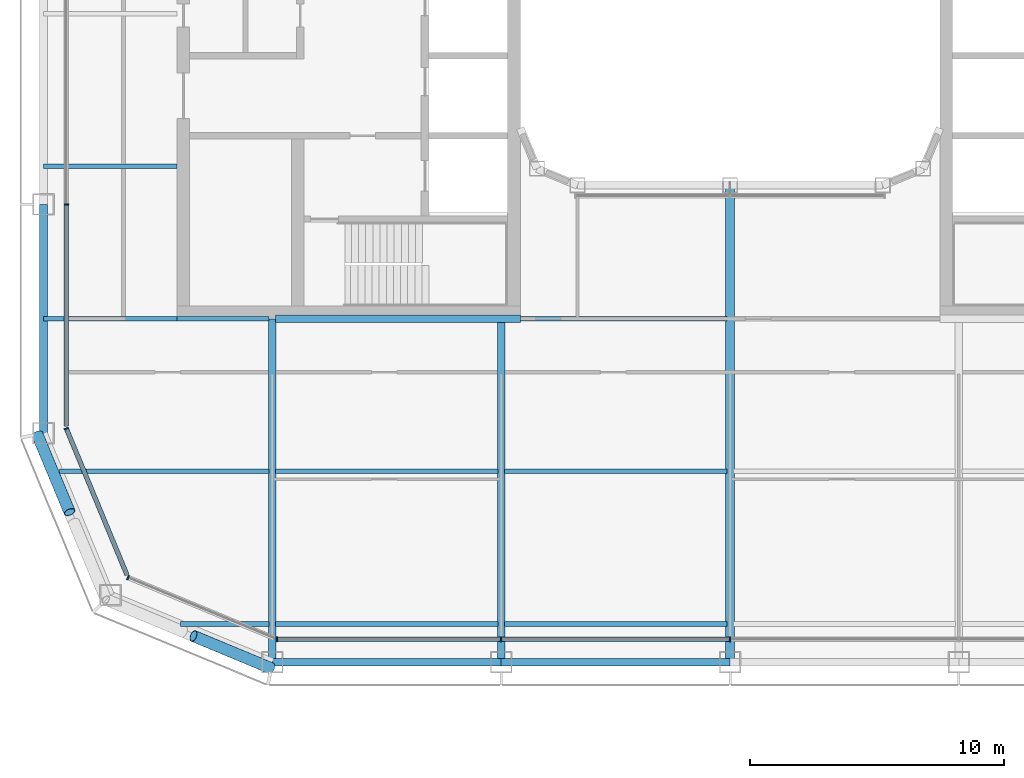
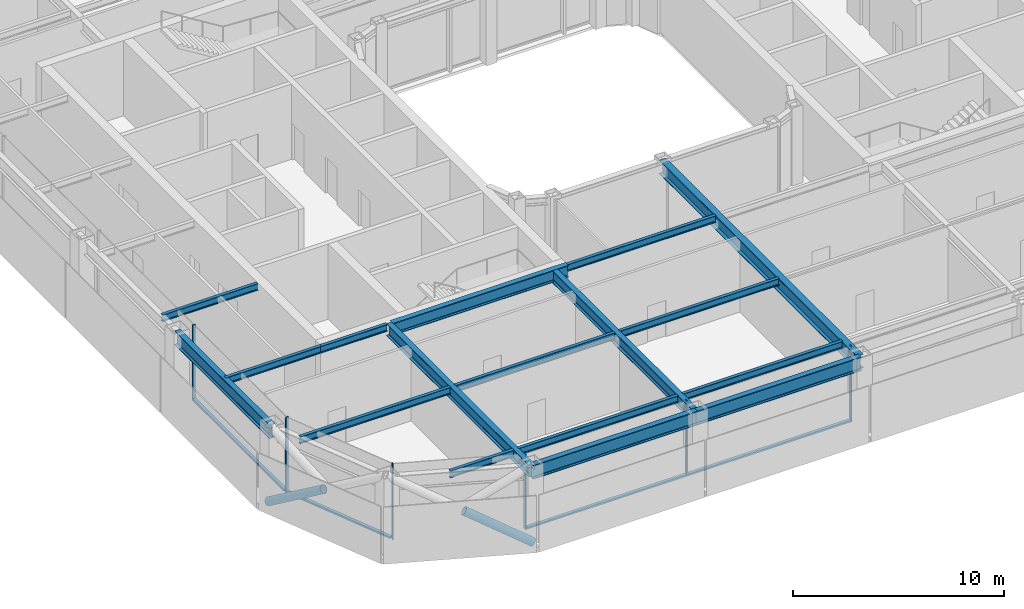
# One storey, part 2 of 22: 17 beams, 12 members, 4 elements without a shape of their own.
"""IFC4 building model written with IfcOpenShell, lengths in metres."""

from ifc_helpers import new_model, si_unit, direction, frame, origin, origin_2d, place, context, subcontext, project, spatial, rectangle, hollow_circle, i_section, extrude, material, layer, layer_set, material_profile, profile_set, type_object, element, aggregate, save


model = new_model("IFC4")

# Units and contexts
model_context = context("Model", 3, precision=1e-05, world=origin(), true_north=direction((0.0, 1.0)))
body_context = subcontext(model_context, "Body", "Model", "MODEL_VIEW")
ifc_project = project(units=[si_unit("LENGTHUNIT", "METRE"), si_unit("AREAUNIT", "SQUARE_METRE"), si_unit("VOLUMEUNIT", "CUBIC_METRE"), si_unit("PLANEANGLEUNIT", "RADIAN"), si_unit("MASSUNIT", "GRAM", prefix="KILO")], contexts=[model_context])

# Site, building, storey
site_placement = place(None, origin())
site = spatial("IfcSite", under=ifc_project, at=site_placement, CompositionType="ELEMENT")
building_placement = place(site_placement, origin())
building = spatial("IfcBuilding", under=site, at=building_placement, Name="Siwar Civic Tower", CompositionType="ELEMENT")
storey_placement = place(building_placement, frame((0.0, 0.0, 201.699951171875)))
storey = spatial("IfcBuildingStorey", under=building, at=storey_placement, Name="L43", CompositionType="ELEMENT", Elevation=201.699951171875)

# Curtain wall, members
ifc_material_1 = material(Name="Aluminium and glass", Category="aluminium")
ifc_layer_1 = layer(ifc_material_1, 0.179931640625)
ifc_layer_set_1 = layer_set([ifc_layer_1], Name="Aluminium and glass")
curtain_wall_type_1 = type_object("IfcCurtainWallType", Name="ENV-CW-C", PredefinedType="NOTDEFINED", material=ifc_layer_set_1)
curtain_wall_1_placement = place(storey_placement, origin())
curtain_wall_1 = element("IfcCurtainWall", 1, at=curtain_wall_1_placement, inside=storey, type_object=curtain_wall_type_1, Name="Curtain wall C S", PredefinedType="NOTDEFINED")
ifc_material_2 = material(Name="Aluminium 6063-T6", Category="aluminium")
ifc_material_profile_1 = material_profile(ifc_material_2, rectangle(XDim=0.179931640625, YDim=0.06005859375, at=origin_2d()), Name="AL 180x60")
ifc_profile_set_1 = profile_set([ifc_material_profile_1], Name="Aluminium 6063-T6")
member_type_1 = type_object("IfcMemberType", Name="ENV-MULLION-C", PredefinedType="MULLION", material=ifc_profile_set_1)
member_1_placement = place(storey_placement, frame((-17.821044921875, -26.10009765625, 0.0), z_axis=(0.0, 0.0, 1.0), x_axis=(0.0, 1.0, 0.0)))
member_1 = element("IfcMember", 2, at=member_1_placement, type_object=member_type_1, Name="Mullion C S 1", PredefinedType="MULLION", context=body_context, shape_type="SweptSolid", body=[
    extrude(rectangle(XDim=0.179931640625, YDim=0.06005859375, at=origin_2d()), origin(), (0.0, 0.0, 1.0), 4.35009765625),
])
member_2_placement = place(storey_placement, frame((-9.0, -26.10009765625, 0.0), z_axis=(0.0, 0.0, 1.0), x_axis=(0.0, 1.0, 0.0)))
member_2 = element("IfcMember", 3, at=member_2_placement, type_object=member_type_1, Name="Mullion C S 2", PredefinedType="MULLION", context=body_context, shape_type="SweptSolid", body=[
    extrude(rectangle(XDim=0.179931640625, YDim=0.06005859375, at=origin_2d()), origin(), (0.0, 0.0, 1.0), 4.35009765625),
])
member_3_placement = place(storey_placement, frame((0.0, -26.10009765625, 0.0), z_axis=(0.0, 0.0, 1.0), x_axis=(0.0, 1.0, 0.0)))
member_3 = element("IfcMember", 4, at=member_3_placement, type_object=member_type_1, Name="Mullion C S 3", PredefinedType="MULLION", context=body_context, shape_type="SweptSolid", body=[
    extrude(rectangle(XDim=0.179931640625, YDim=0.06005859375, at=origin_2d()), origin(), (0.0, 0.0, 1.0), 4.35009765625),
])

# Curtain wall, member
curtain_wall_2_placement = place(storey_placement, origin())
curtain_wall_2 = element("IfcCurtainWall", 5, at=curtain_wall_2_placement, inside=storey, type_object=curtain_wall_type_1, Name="Curtain wall C W", PredefinedType="NOTDEFINED")
member_4_placement = place(storey_placement, frame((-26.10009765625, -9.0, 0.0), z_axis=(0.0, 0.0, 1.0), x_axis=(1.0, 0.0, 0.0)))
member_4 = element("IfcMember", 6, at=member_4_placement, type_object=member_type_1, Name="Mullion C W 4", PredefinedType="MULLION", context=body_context, shape_type="SweptSolid", body=[
    extrude(rectangle(XDim=0.179931640625, YDim=0.06005859375, at=origin_2d()), origin(), (0.0, 0.0, 1.0), 4.35009765625),
])

ifc_material_3 = material(Name="Aluminium clad insulated panel", Category="aluminium")
ifc_layer_2 = layer(ifc_material_3, 0.179931640625)
ifc_layer_set_2 = layer_set([ifc_layer_2], Name="Aluminium clad insulated panel")
curtain_wall_type_2 = type_object("IfcCurtainWallType", Name="ENV-CW-CX", PredefinedType="NOTDEFINED", material=ifc_layer_set_2)
curtain_wall_3_placement = place(storey_placement, origin())
curtain_wall_3 = element("IfcCurtainWall", 7, at=curtain_wall_3_placement, inside=storey, type_object=curtain_wall_type_2, Name="Curtain wall C SW1", PredefinedType="NOTDEFINED")
member_5_placement = place(storey_placement, frame((-26.10009765625, -17.821044921875, 0.0), z_axis=(0.0, 0.0, 1.0), x_axis=(0.923879532511, 0.382683432365, 0.0)))
member_5 = element("IfcMember", 8, at=member_5_placement, type_object=member_type_1, Name="Mullion C SW1 1", PredefinedType="MULLION", context=body_context, shape_type="SweptSolid", body=[
    extrude(rectangle(XDim=0.179931640625, YDim=0.06005859375, at=origin_2d()), origin(), (0.0, 0.0, 1.0), 4.35009765625),
])

curtain_wall_4_placement = place(storey_placement, origin())
curtain_wall_4 = element("IfcCurtainWall", 9, at=curtain_wall_4_placement, inside=storey, type_object=curtain_wall_type_2, Name="Curtain wall C SW2", PredefinedType="NOTDEFINED")
member_6_placement = place(storey_placement, frame((-23.675048828125, -23.675048828125, 0.0), z_axis=(0.0, 0.0, 1.0), x_axis=(0.382683432365, 0.923879532511, 0.0)))
member_6 = element("IfcMember", 10, at=member_6_placement, type_object=member_type_1, Name="Mullion C SW2 1", PredefinedType="MULLION", context=body_context, shape_type="SweptSolid", body=[
    extrude(rectangle(XDim=0.179931640625, YDim=0.06005859375, at=origin_2d()), origin(), (0.0, 0.0, 1.0), 4.35009765625),
])
aggregate(curtain_wall_4, [member_6])

# Member
ifc_material_4 = material(Name="Aluminium 6063-T6", Category="aluminium")
ifc_material_profile_2 = material_profile(ifc_material_4, rectangle(XDim=0.179931640625, YDim=0.10009765625, at=origin_2d()), Name="AL 180x100")
ifc_profile_set_2 = profile_set([ifc_material_profile_2], Name="Aluminium 6063-T6")
member_type_2 = type_object("IfcMemberType", Name="ENV-TRANSOM-C", PredefinedType="USERDEFINED", material=ifc_profile_set_2)
member_7_placement = place(storey_placement, frame((-17.791015625, -26.10009765625, 0.050048828125), z_axis=(1.0, 0.0, 0.0), x_axis=(0.0, 1.0, 0.0)))
member_7 = element("IfcMember", 11, at=member_7_placement, type_object=member_type_2, Name="Transom C S 1", ObjectType="TRANSOM", PredefinedType="USERDEFINED", context=body_context, shape_type="SweptSolid", body=[
    extrude(rectangle(XDim=0.179931640625, YDim=0.10009765625, at=origin_2d()), origin(), (0.0, 0.0, 1.0), 8.760986328125),
])

member_8_placement = place(storey_placement, frame((-8.969970703125, -26.10009765625, 0.050048828125), z_axis=(1.0, 0.0, 0.0), x_axis=(0.0, 1.0, 0.0)))
member_8 = element("IfcMember", 12, at=member_8_placement, type_object=member_type_2, Name="Transom C S 2", ObjectType="TRANSOM", PredefinedType="USERDEFINED", context=body_context, shape_type="SweptSolid", body=[
    extrude(rectangle(XDim=0.179931640625, YDim=0.10009765625, at=origin_2d()), origin(), (0.0, 0.0, 1.0), 8.93994140625),
])

aggregate(curtain_wall_1, [member_1, member_2, member_3, member_7, member_8])

member_9_placement = place(storey_placement, frame((-26.10009765625, -9.030029296875, 0.050048828125), z_axis=(0.0, -1.0, 0.0), x_axis=(1.0, 0.0, 0.0)))
member_9 = element("IfcMember", 13, at=member_9_placement, type_object=member_type_2, Name="Transom C W 4", ObjectType="TRANSOM", PredefinedType="USERDEFINED", context=body_context, shape_type="SweptSolid", body=[
    extrude(rectangle(XDim=0.179931640625, YDim=0.10009765625, at=origin_2d()), origin(), (0.0, 0.0, 1.0), 8.68603515625),
])

aggregate(curtain_wall_2, [member_4, member_9])

member_10_placement = place(storey_placement, frame((-26.088623046875, -17.8486328125, 0.050048828125), z_axis=(0.38267744817, -0.923882011223, 0.0), x_axis=(0.923882011223, 0.38267744817, 0.0)))
member_10 = element("IfcMember", 14, at=member_10_placement, type_object=member_type_2, Name="Transom C SW1 1", ObjectType="TRANSOM", PredefinedType="USERDEFINED", context=body_context, shape_type="SweptSolid", body=[
    extrude(rectangle(XDim=0.179931640625, YDim=0.10009765625, at=origin_2d()), origin(), (0.0, 0.0, 1.0), 6.201904296875),
])

aggregate(curtain_wall_3, [member_5, member_10])

# Members
ifc_material_5 = material(Name="Steel S355", Category="steel")
ifc_material_profile_3 = material_profile(ifc_material_5, hollow_circle(Radius=0.228515625, WallThickness=0.02001953125, at=origin_2d()), Name="CHS457x20")
ifc_profile_set_3 = profile_set([ifc_material_profile_3], Name="Steel S355")
member_type_3 = type_object("IfcMemberType", Name="STR-BR-CHS457x20", PredefinedType="BRACE", material=ifc_profile_set_3)
for number, where, z_axis, x_axis, name in (
    (15, (-18.048828125, -27.2451171875, 0.0), (-0.777546448489, 0.323884455881, 0.538999424564), (-0.38452107079, -0.92311621485, 0.0), "L43/brc/CSW1-3-0-2"),
    (16, (-27.2451171875, -18.048828125, 0.0), (0.323884455881, -0.777546448489, 0.538999424564), (0.92311621485, 0.38452107079, 0.0), "L43/brc/CSW1-3-0-4"),
):
    element("IfcMember", number, at=place(storey_placement, frame(where, z_axis=z_axis, x_axis=x_axis)), inside=storey, type_object=member_type_3, Name=name, PredefinedType="BRACE", context=body_context, shape_type="SweptSolid", body=[
        extrude(hollow_circle(Radius=0.228515625, WallThickness=0.02001953125, at=origin_2d()), origin(), (0.0, 0.0, 1.0), 3.927978515625),
    ])

# Beams
ifc_material_6 = material(Name="Steel S355", Category="steel")
ifc_material_profile_4 = material_profile(ifc_material_6, i_section(OverallWidth=0.179931640625, OverallDepth=0.39990234375, WebThickness=0.008544921875, FlangeThickness=0.013427734375, FilletRadius=0.02099609375, at=origin_2d()), Name="IPE400")
ifc_profile_set_4 = profile_set([ifc_material_profile_4], Name="Steel S355")
beam_type_1 = type_object("IfcBeamType", Name="STR-FB-IPE400", PredefinedType="JOIST", material=ifc_profile_set_4)
beam_1_placement = place(storey_placement, frame((-21.621337890625, -25.5, 4.150146484375), z_axis=(1.0, 0.0, 0.0), x_axis=(0.0, 1.0, 0.0)))
element("IfcBeam", 17, at=beam_1_placement, inside=storey, type_object=beam_type_1, Name="L43/bm/F001", PredefinedType="JOIST", context=body_context, shape_type="SweptSolid", body=[
    extrude(i_section(OverallWidth=0.179931640625, OverallDepth=0.39990234375, WebThickness=0.008544921875, FlangeThickness=0.013427734375, FilletRadius=0.02099609375, at=origin_2d()), origin(), (0.0, 0.0, 1.0), 3.491455078125),
])
for number, where, z_axis, x_axis, name in (
    (18, (-17.8701171875, -25.5, 4.150146484375), (1.0, 0.0, 0.0), (0.0, 1.0, 0.0), "L43/bm/F002"),
    (19, (-8.8701171875, -25.5, 4.150146484375), (1.0, 0.0, 0.0), (0.0, 1.0, 0.0), "L43/bm/F003"),
):
    element("IfcBeam", number, at=place(storey_placement, frame(where, z_axis=z_axis, x_axis=x_axis)), inside=storey, type_object=beam_type_1, Name=name, PredefinedType="JOIST", context=body_context, shape_type="SweptSolid", body=[
        extrude(i_section(OverallWidth=0.179931640625, OverallDepth=0.39990234375, WebThickness=0.008544921875, FlangeThickness=0.013427734375, FilletRadius=0.02099609375, at=origin_2d()), origin(), (0.0, 0.0, 1.0), 8.740234375),
    ])
beam_2_placement = place(storey_placement, frame((-26.378662109375, -19.5, 4.150146484375), z_axis=(1.0, 0.0, 0.0), x_axis=(0.0, 1.0, 0.0)))
element("IfcBeam", 20, at=beam_2_placement, inside=storey, type_object=beam_type_1, Name="L43/bm/F007", PredefinedType="JOIST", context=body_context, shape_type="SweptSolid", body=[
    extrude(i_section(OverallWidth=0.179931640625, OverallDepth=0.39990234375, WebThickness=0.008544921875, FlangeThickness=0.013427734375, FilletRadius=0.02099609375, at=origin_2d()), origin(), (0.0, 0.0, 1.0), 8.248779296875),
])
for number, where, z_axis, x_axis, name in (
    (21, (-17.8701171875, -19.5, 4.150146484375), (1.0, 0.0, 0.0), (0.0, 1.0, 0.0), "L43/bm/F008"),
    (22, (-8.8701171875, -19.5, 4.150146484375), (1.0, 0.0, 0.0), (0.0, 1.0, 0.0), "L43/bm/F009"),
):
    element("IfcBeam", number, at=place(storey_placement, frame(where, z_axis=z_axis, x_axis=x_axis)), inside=storey, type_object=beam_type_1, Name=name, PredefinedType="JOIST", context=body_context, shape_type="SweptSolid", body=[
        extrude(i_section(OverallWidth=0.179931640625, OverallDepth=0.39990234375, WebThickness=0.008544921875, FlangeThickness=0.013427734375, FilletRadius=0.02099609375, at=origin_2d()), origin(), (0.0, 0.0, 1.0), 8.740234375),
    ])
beam_3_placement = place(storey_placement, frame((-27.0, -13.5, 4.150146484375), z_axis=(1.0, 0.0, 0.0), x_axis=(0.0, 1.0, 0.0)))
element("IfcBeam", 23, at=beam_3_placement, inside=storey, type_object=beam_type_1, Name="L43/bm/F013", PredefinedType="JOIST", context=body_context, shape_type="SweptSolid", body=[
    extrude(i_section(OverallWidth=0.179931640625, OverallDepth=0.39990234375, WebThickness=0.008544921875, FlangeThickness=0.013427734375, FilletRadius=0.02099609375, at=origin_2d()), origin(), (0.0, 0.0, 1.0), 5.25),
])
beam_4_placement = place(storey_placement, frame((-21.75, -13.5, 4.150146484375), z_axis=(1.0, 0.0, 0.0), x_axis=(0.0, 1.0, 0.0)))
element("IfcBeam", 24, at=beam_4_placement, inside=storey, type_object=beam_type_1, Name="L43/bm/F014", PredefinedType="JOIST", context=body_context, shape_type="SweptSolid", body=[
    extrude(i_section(OverallWidth=0.179931640625, OverallDepth=0.39990234375, WebThickness=0.008544921875, FlangeThickness=0.013427734375, FilletRadius=0.02099609375, at=origin_2d()), origin(), (0.0, 0.0, 1.0), 3.6201171875),
])
beam_5_placement = place(storey_placement, frame((-8.25, -13.5, 4.150146484375), z_axis=(1.0, 0.0, 0.0), x_axis=(0.0, 1.0, 0.0)))
element("IfcBeam", 25, at=beam_5_placement, inside=storey, type_object=beam_type_1, Name="L43/bm/F016", PredefinedType="JOIST", context=body_context, shape_type="SweptSolid", body=[
    extrude(i_section(OverallWidth=0.179931640625, OverallDepth=0.39990234375, WebThickness=0.008544921875, FlangeThickness=0.013427734375, FilletRadius=0.02099609375, at=origin_2d()), origin(), (0.0, 0.0, 1.0), 8.1201171875),
])
beam_6_placement = place(storey_placement, frame((-27.0, -7.5, 4.150146484375), z_axis=(1.0, 0.0, 0.0), x_axis=(0.0, 1.0, 0.0)))
element("IfcBeam", 26, at=beam_6_placement, inside=storey, type_object=beam_type_1, Name="L43/bm/F021", PredefinedType="JOIST", context=body_context, shape_type="SweptSolid", body=[
    extrude(i_section(OverallWidth=0.179931640625, OverallDepth=0.39990234375, WebThickness=0.008544921875, FlangeThickness=0.013427734375, FilletRadius=0.02099609375, at=origin_2d()), origin(), (0.0, 0.0, 1.0), 5.25),
])
ifc_material_7 = material(Name="Steel S355", Category="steel")
ifc_material_profile_5 = material_profile(ifc_material_7, i_section(OverallWidth=0.300048828125, OverallDepth=0.699951171875, WebThickness=0.01708984375, FlangeThickness=0.031982421875, FilletRadius=0.027099609375, at=origin_2d()), Name="HEB700")
ifc_profile_set_5 = profile_set([ifc_material_profile_5], Name="Steel S355")
beam_type_2 = type_object("IfcBeamType", Name="STR-PG-HEB700", PredefinedType="BEAM", material=ifc_profile_set_5)
for number, where, z_axis, x_axis, name in (
    (27, (-18.0, -27.0, 4.0), (0.0, 1.0, 0.0), (-1.0, 0.0, 0.0), "L43/bm/G01"),
    (28, (-9.0, -27.0, 4.0), (0.0, 1.0, 0.0), (-1.0, 0.0, 0.0), "L43/bm/G03"),
):
    element("IfcBeam", number, at=place(storey_placement, frame(where, z_axis=z_axis, x_axis=x_axis)), inside=storey, type_object=beam_type_2, Name=name, PredefinedType="BEAM", context=body_context, shape_type="SweptSolid", body=[
        extrude(i_section(OverallWidth=0.300048828125, OverallDepth=0.699951171875, WebThickness=0.01708984375, FlangeThickness=0.031982421875, FilletRadius=0.027099609375, at=origin_2d()), origin(), (0.0, 0.0, 1.0), 13.5),
    ])
beam_7_placement = place(storey_placement, frame((-17.8701171875, -13.5, 4.0), z_axis=(1.0, 0.0, 0.0), x_axis=(0.0, 1.0, 0.0)))
element("IfcBeam", 29, at=beam_7_placement, inside=storey, type_object=beam_type_2, Name="L43/bm/F015", PredefinedType="BEAM", context=body_context, shape_type="SweptSolid", body=[
    extrude(i_section(OverallWidth=0.300048828125, OverallDepth=0.699951171875, WebThickness=0.01708984375, FlangeThickness=0.031982421875, FilletRadius=0.027099609375, at=origin_2d()), origin(), (0.0, 0.0, 1.0), 9.6201171875),
])
ifc_material_8 = material(Name="Steel S355", Category="steel")
ifc_material_profile_6 = material_profile(ifc_material_8, i_section(OverallWidth=0.360107421875, OverallDepth=0.800048828125, WebThickness=0.013916015625, FlangeThickness=0.031982421875, at=origin_2d()), Name="PG800x360x14x32")
ifc_profile_set_6 = profile_set([ifc_material_profile_6], Name="Steel S355")
beam_type_3 = type_object("IfcBeamType", Name="STR-PG-PG800x360x14x32", PredefinedType="BEAM", material=ifc_profile_set_6)
beam_8_placement = place(storey_placement, frame((0.0, -27.0, 3.949951171875), z_axis=(0.0, 1.0, 0.0), x_axis=(-1.0, 0.0, 0.0)))
element("IfcBeam", 30, at=beam_8_placement, inside=storey, type_object=beam_type_3, Name="L43/bm/G05", PredefinedType="BEAM", context=body_context, shape_type="SweptSolid", body=[
    extrude(i_section(OverallWidth=0.360107421875, OverallDepth=0.800048828125, WebThickness=0.013916015625, FlangeThickness=0.031982421875, at=origin_2d()), origin(), (0.0, 0.0, 1.0), 18.75),
])
ifc_material_9 = material(Name="Steel S355", Category="steel")
ifc_material_profile_7 = material_profile(ifc_material_9, i_section(OverallWidth=0.300048828125, OverallDepth=0.800048828125, WebThickness=0.017578125, FlangeThickness=0.032958984375, FilletRadius=0.030029296875, at=origin_2d()), Name="HEB800")
ifc_profile_set_7 = profile_set([ifc_material_profile_7], Name="Steel S355")
beam_type_4 = type_object("IfcBeamType", Name="STR-SB-HEB800", PredefinedType="BEAM", material=ifc_profile_set_7)
for number, where, z_axis, x_axis, name in (
    (31, (-18.0, -27.0, 3.949951171875), (1.0, 0.0, 0.0), (0.0, 1.0, 0.0), "L43/bm/SS-0"),
    (32, (-9.0, -27.0, 3.949951171875), (1.0, 0.0, 0.0), (0.0, 1.0, 0.0), "L43/bm/SS-1"),
    (33, (-27.0, -9.0, 3.949951171875), (0.0, -1.0, 0.0), (1.0, 0.0, 0.0), "L43/bm/SW-3"),
):
    element("IfcBeam", number, at=place(storey_placement, frame(where, z_axis=z_axis, x_axis=x_axis)), inside=storey, type_object=beam_type_4, Name=name, PredefinedType="BEAM", context=body_context, shape_type="SweptSolid", body=[
        extrude(i_section(OverallWidth=0.300048828125, OverallDepth=0.800048828125, WebThickness=0.017578125, FlangeThickness=0.032958984375, FilletRadius=0.030029296875, at=origin_2d()), origin(), (0.0, 0.0, 1.0), 9.0),
    ])

save(model, "model.ifc")
